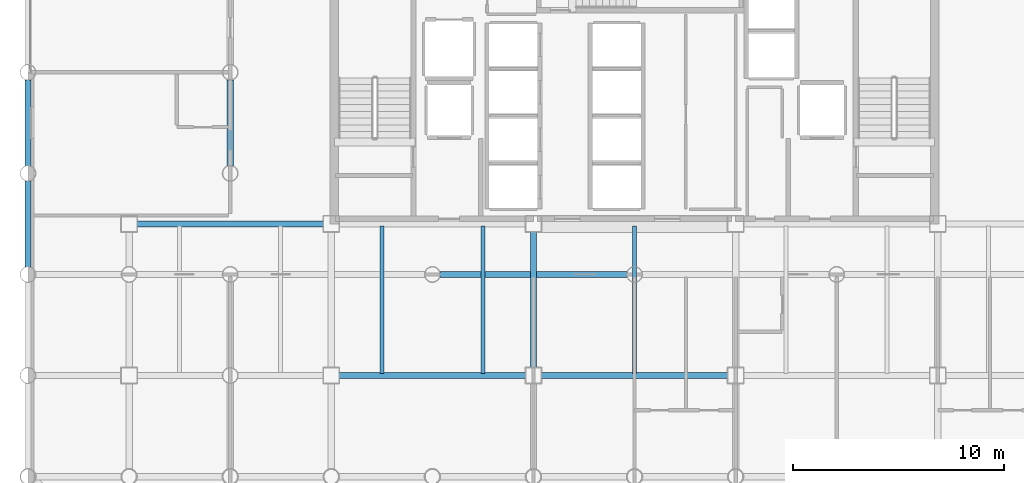
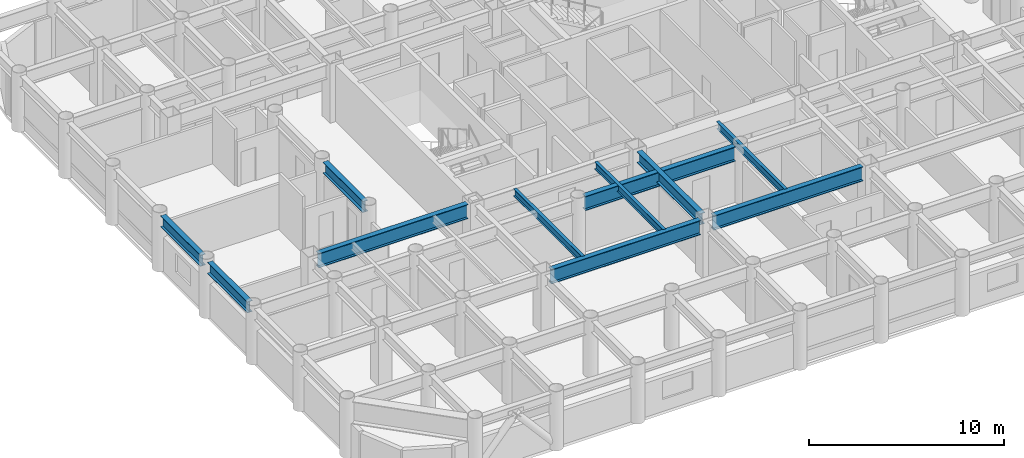
# One storey, part 3 of 20: 11 beams.
"""IFC4 building model written with IfcOpenShell, lengths in metres."""

from ifc_helpers import new_model, si_unit, direction, frame, origin, origin_2d, place, context, subcontext, project, spatial, i_section, extrude, material, material_profile, profile_set, type_object, element, save


model = new_model("IFC4")

# Units and contexts
model_context = context("Model", 3, precision=1e-05, world=origin(), true_north=direction((0.0, 1.0)))
body_context = subcontext(model_context, "Body", "Model", "MODEL_VIEW")
ifc_project = project(units=[si_unit("LENGTHUNIT", "METRE"), si_unit("AREAUNIT", "SQUARE_METRE"), si_unit("VOLUMEUNIT", "CUBIC_METRE"), si_unit("PLANEANGLEUNIT", "RADIAN"), si_unit("MASSUNIT", "GRAM", prefix="KILO")], contexts=[model_context])

# Site, building, storey
site_placement = place(None, origin())
site = spatial("IfcSite", under=ifc_project, at=site_placement, CompositionType="ELEMENT")
building_placement = place(site_placement, origin())
building = spatial("IfcBuilding", under=site, at=building_placement, Name="Kallvorn Hotel Tower", CompositionType="ELEMENT")
storey_placement = place(building_placement, frame((0.0, 0.0, 74.39990234375)))
storey = spatial("IfcBuildingStorey", under=building, at=storey_placement, Name="L17", CompositionType="ELEMENT", Elevation=74.39990234375)

# Beams
ifc_material_1 = material(Name="Structural steel S355JR", Category="steel")
ifc_material_profile_1 = material_profile(ifc_material_1, i_section(OverallWidth=0.300048828125, OverallDepth=0.699951171875, WebThickness=0.01708984375, FlangeThickness=0.031982421875, at=origin_2d()), Name="HE 700 B")
ifc_profile_set_1 = profile_set([ifc_material_profile_1], Name="Structural steel S355JR")
beam_type_1 = type_object("IfcBeamType", Name="BM_HE700B", PredefinedType="BEAM", material=ifc_profile_set_1)
beam_1_placement = place(storey_placement, frame((-28.800048828125, -9.243896484375, 3.170166015625), z_axis=(0.0, 1.0, 0.0), x_axis=(-1.0, 0.0, 0.0)))
element("IfcBeam", 1, at=beam_1_placement, inside=storey, type_object=beam_type_1, Name="L18 Primary Y-Girder 75", PredefinedType="BEAM", context=body_context, shape_type="SweptSolid", body=[
    extrude(i_section(OverallWidth=0.300048828125, OverallDepth=0.699951171875, WebThickness=0.01708984375, FlangeThickness=0.031982421875, at=origin_2d()), origin(), (0.0, 0.0, 1.0), 4.087890625),
])
for number, where, z_axis, x_axis, name in (
    (2, (-28.800048828125, -4.444091796875, 3.170166015625), (0.0, 1.0, 0.0), (-1.0, 0.0, 0.0), "L18 Primary Y-Girder 76"),
    (3, (-19.199951171875, -4.444091796875, 3.170166015625), (0.0, 1.0, 0.0), (-1.0, 0.0, 0.0), "L18 Primary Y-Girder 92"),
):
    element("IfcBeam", number, at=place(storey_placement, frame(where, z_axis=z_axis, x_axis=x_axis)), inside=storey, type_object=beam_type_1, Name=name, PredefinedType="BEAM", context=body_context, shape_type="SweptSolid", body=[
        extrude(i_section(OverallWidth=0.300048828125, OverallDepth=0.699951171875, WebThickness=0.01708984375, FlangeThickness=0.031982421875, at=origin_2d()), origin(), (0.0, 0.0, 1.0), 4.088134765625),
    ])
beam_2_placement = place(storey_placement, frame((-4.800048828125, -14.02490234375, 3.170166015625), z_axis=(0.0, 1.0, 0.0), x_axis=(-1.0, 0.0, 0.0)))
element("IfcBeam", 4, at=beam_2_placement, inside=storey, type_object=beam_type_1, Name="L18 Primary Y-Girder 107", PredefinedType="BEAM", context=body_context, shape_type="SweptSolid", body=[
    extrude(i_section(OverallWidth=0.300048828125, OverallDepth=0.699951171875, WebThickness=0.01708984375, FlangeThickness=0.031982421875, at=origin_2d()), origin(), (0.0, 0.0, 1.0), 6.449951171875),
])
ifc_material_2 = material(Name="Structural steel S355JR", Category="steel")
ifc_material_profile_2 = material_profile(ifc_material_2, i_section(OverallWidth=0.300048828125, OverallDepth=0.89990234375, WebThickness=0.0185546875, FlangeThickness=0.034912109375, at=origin_2d()), Name="HE 900 B")
ifc_profile_set_2 = profile_set([ifc_material_profile_2], Name="Structural steel S355JR")
beam_type_2 = type_object("IfcBeamType", Name="BM_HE900B", PredefinedType="BEAM", material=ifc_profile_set_2)
beam_3_placement = place(storey_placement, frame((-14.02490234375, -14.39990234375, 3.070068359375), z_axis=(1.0, 0.0, 0.0), x_axis=(0.0, 1.0, 0.0)))
element("IfcBeam", 5, at=beam_3_placement, inside=storey, type_object=beam_type_2, Name="L18 Primary X-Girder 17", PredefinedType="BEAM", context=body_context, shape_type="SweptSolid", body=[
    extrude(i_section(OverallWidth=0.300048828125, OverallDepth=0.89990234375, WebThickness=0.0185546875, FlangeThickness=0.034912109375, at=origin_2d()), origin(), (0.0, 0.0, 1.0), 8.849853515625),
])
beam_4_placement = place(storey_placement, frame((-4.425048828125, -14.39990234375, 3.070068359375), z_axis=(1.0, 0.0, 0.0), x_axis=(0.0, 1.0, 0.0)))
element("IfcBeam", 6, at=beam_4_placement, inside=storey, type_object=beam_type_2, Name="L18 Primary X-Girder 18", PredefinedType="BEAM", context=body_context, shape_type="SweptSolid", body=[
    extrude(i_section(OverallWidth=0.300048828125, OverallDepth=0.89990234375, WebThickness=0.0185546875, FlangeThickness=0.034912109375, at=origin_2d()), origin(), (0.0, 0.0, 1.0), 8.85009765625),
])
beam_5_placement = place(storey_placement, frame((-9.243896484375, -9.60009765625, 3.070068359375), z_axis=(1.0, 0.0, 0.0), x_axis=(0.0, 1.0, 0.0)))
element("IfcBeam", 7, at=beam_5_placement, inside=storey, type_object=beam_type_2, Name="L18 Primary X-Girder 27", PredefinedType="BEAM", context=body_context, shape_type="SweptSolid", body=[
    extrude(i_section(OverallWidth=0.300048828125, OverallDepth=0.89990234375, WebThickness=0.0185546875, FlangeThickness=0.034912109375, at=origin_2d()), origin(), (0.0, 0.0, 1.0), 8.887939453125),
])
beam_6_placement = place(storey_placement, frame((-23.625, -7.199951171875, 3.070068359375), z_axis=(1.0, 0.0, 0.0), x_axis=(0.0, 1.0, 0.0)))
element("IfcBeam", 8, at=beam_6_placement, inside=storey, type_object=beam_type_2, Name="L18 Primary X-Girder 33", PredefinedType="BEAM", context=body_context, shape_type="SweptSolid", body=[
    extrude(i_section(OverallWidth=0.300048828125, OverallDepth=0.89990234375, WebThickness=0.0185546875, FlangeThickness=0.034912109375, at=origin_2d()), origin(), (0.0, 0.0, 1.0), 8.85009765625),
])
ifc_material_3 = material(Name="Structural steel S355JR", Category="steel")
ifc_material_profile_3 = material_profile(ifc_material_3, i_section(OverallWidth=0.18994140625, OverallDepth=0.449951171875, WebThickness=0.009521484375, FlangeThickness=0.0146484375, at=origin_2d()), Name="IPE 450")
ifc_profile_set_3 = profile_set([ifc_material_profile_3], Name="Structural steel S355JR")
beam_type_3 = type_object("IfcBeamType", Name="BM_IPE450", PredefinedType="JOIST", material=ifc_profile_set_3)
for number, where, z_axis, x_axis, name in (
    (9, (-12.0, -14.300048828125, 3.295166015625), (0.0, 1.0, 0.0), (-1.0, 0.0, 0.0), "L18 Secondary Composite Joist 196"),
    (10, (-7.199951171875, -14.300048828125, 3.295166015625), (0.0, 1.0, 0.0), (-1.0, 0.0, 0.0), "L18 Secondary Composite Joist 198"),
    (11, (0.0, -14.300048828125, 3.295166015625), (0.0, 1.0, 0.0), (-1.0, 0.0, 0.0), "L18 Secondary Composite Joist 200"),
):
    element("IfcBeam", number, at=place(storey_placement, frame(where, z_axis=z_axis, x_axis=x_axis)), inside=storey, type_object=beam_type_3, Name=name, PredefinedType="JOIST", context=body_context, shape_type="SweptSolid", body=[
        extrude(i_section(OverallWidth=0.18994140625, OverallDepth=0.449951171875, WebThickness=0.009521484375, FlangeThickness=0.0146484375, at=origin_2d()), origin(), (0.0, 0.0, 1.0), 7.0),
    ])

save(model, "model.ifc")
